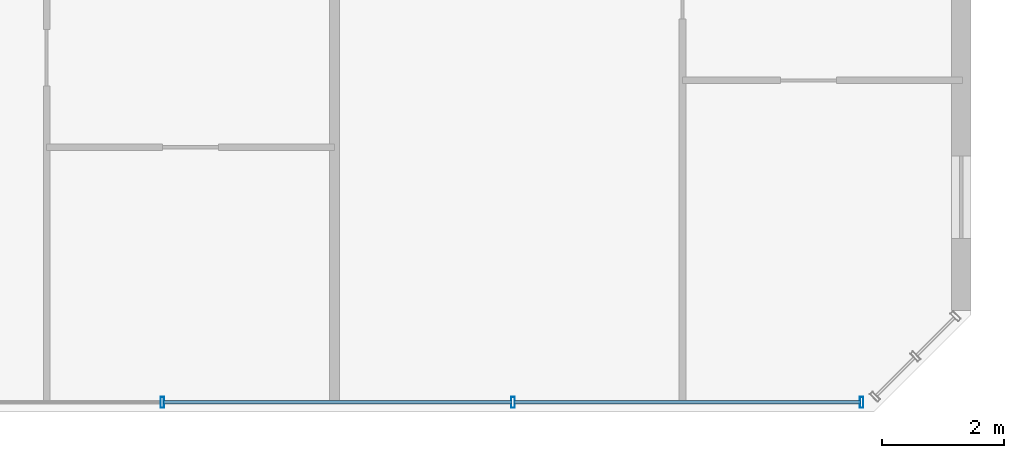
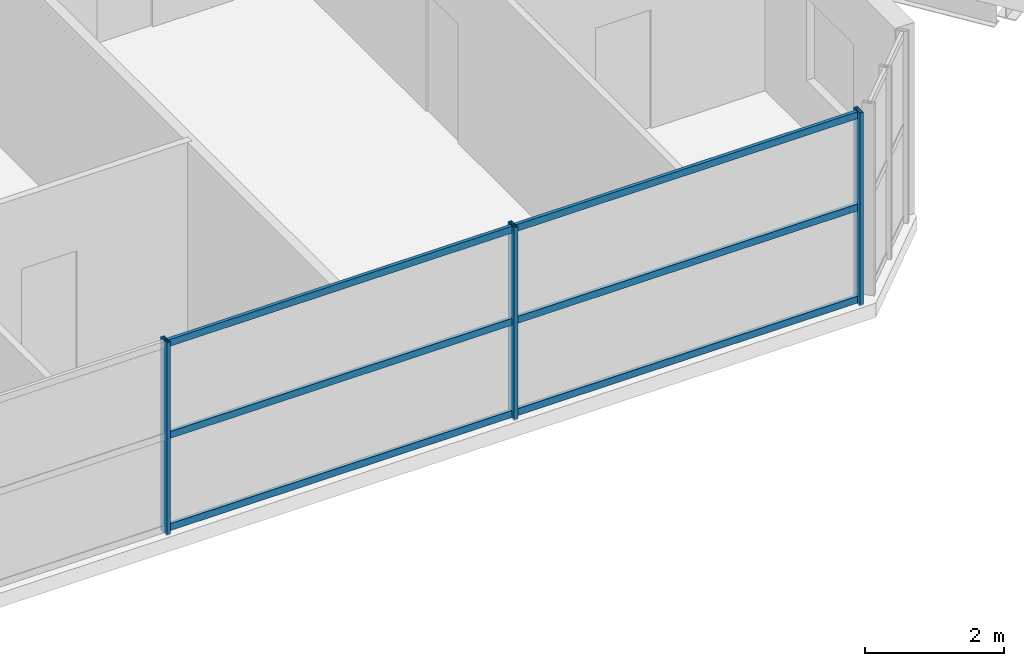
# One storey, part 8 of 25: 9 members, 1 element without a shape of its own.
"""IFC4 building model written with IfcOpenShell, lengths in metres."""

from ifc_helpers import new_model, si_unit, direction, frame, origin, origin_2d, place, context, subcontext, project, spatial, hollow_rectangle, extrude, source, transform, mapped, material, material_profile, profile_set, type_object, element, aggregate, save


model = new_model("IFC4")

# Units and contexts
model_context = context("Model", 3, precision=1e-05, world=origin(), true_north=direction((0.0, 1.0)))
body_context = subcontext(model_context, "Body", "Model", "MODEL_VIEW")
ifc_project = project(units=[si_unit("LENGTHUNIT", "METRE"), si_unit("AREAUNIT", "SQUARE_METRE"), si_unit("VOLUMEUNIT", "CUBIC_METRE"), si_unit("PLANEANGLEUNIT", "RADIAN"), si_unit("MASSUNIT", "GRAM", prefix="KILO")], contexts=[model_context])

# Site, building, storey
site_placement = place(None, origin())
site = spatial("IfcSite", under=ifc_project, at=site_placement, CompositionType="ELEMENT")
building_placement = place(site_placement, origin())
building = spatial("IfcBuilding", under=site, at=building_placement, Name="Tlacorven Tower", CompositionType="ELEMENT")
storey_placement = place(building_placement, frame((0.0, 0.0, 259.199951171875)))
storey = spatial("IfcBuildingStorey", under=building, at=storey_placement, Name="L65", CompositionType="ELEMENT", Elevation=259.199951171875)

# Curtain wall, members
ifc_material_1 = material(Name="Dark solar low-E double glazing in aluminium frame", Category="aluminium")
curtain_wall_type = type_object("IfcCurtainWallType", Name="CW-TWR-HIGH", PredefinedType="USERDEFINED", material=ifc_material_1)
curtain_wall_placement = place(storey_placement, origin())
curtain_wall = element("IfcCurtainWall", 1, at=curtain_wall_placement, inside=storey, type_object=curtain_wall_type, Name="L65 CW-TWR-HIGH Curtain Wall 303", ObjectType="UNITISED CURTAIN WALL", PredefinedType="USERDEFINED")
ifc_material_2 = material(Name="Aluminium 6063-T6 anodised", Category="aluminium")
ifc_material_profile_1 = material_profile(ifc_material_2, hollow_rectangle(XDim=0.06005859375, YDim=0.179931640625, WallThickness=0.00390625, at=origin_2d()), Name="ALU MULLION 60X180")
ifc_profile_set_1 = profile_set([ifc_material_profile_1], Name="Aluminium 6063-T6 anodised")
member_type_1 = type_object("IfcMemberType", Name="CWM-03", PredefinedType="MULLION", material=ifc_profile_set_1)
shared_shape_1 = source(origin(), body_context, "Body", "SweptSolid", [
    extrude(hollow_rectangle(XDim=0.06005859375, YDim=0.179931640625, WallThickness=0.00390625, at=origin_2d()), origin(), (0.0, 0.0, 1.0), 3.380126953125),
])
member_1_placement = place(storey_placement, frame((50.603759765625, 1.9599609375, -0.02001953125), z_axis=(0.0, 0.0, 1.0), x_axis=(-1.0, 0.0, 0.0)))
member_1 = element("IfcMember", 2, at=member_1_placement, type_object=member_type_1, Name="CW-L65-303 Mullion 1", PredefinedType="MULLION", context=body_context, shape_type="MappedRepresentation", body=[
    mapped(shared_shape_1, transform((0.0, 0.0, 0.0), scale=1.0)),
])
member_2_placement = place(storey_placement, frame((44.8779296875, 1.9599609375, -0.02001953125), z_axis=(0.0, 0.0, 1.0), x_axis=(-1.0, 0.0, 0.0)))
member_2 = element("IfcMember", 3, at=member_2_placement, type_object=member_type_1, Name="CW-L65-303 Mullion 2", PredefinedType="MULLION", context=body_context, shape_type="MappedRepresentation", body=[
    mapped(shared_shape_1, transform((0.0, 0.0, 0.0), scale=1.0)),
])
member_3_placement = place(storey_placement, frame((39.1220703125, 1.9599609375, -0.02001953125), z_axis=(0.0, 0.0, 1.0), x_axis=(-1.0, 0.0, 0.0)))
member_3 = element("IfcMember", 4, at=member_3_placement, type_object=member_type_1, Name="CW-L65-303 Mullion 3", PredefinedType="MULLION", context=body_context, shape_type="MappedRepresentation", body=[
    mapped(shared_shape_1, transform((0.0, 0.0, 0.0), scale=1.0)),
])
ifc_material_profile_2 = material_profile(ifc_material_2, hollow_rectangle(XDim=0.054931640625, YDim=0.1201171875, WallThickness=0.00341796875, at=origin_2d()), Name="ALU TRANSOM 55X120")
ifc_profile_set_2 = profile_set([ifc_material_profile_2], Name="Aluminium 6063-T6 anodised")
member_type_2 = type_object("IfcMemberType", Name="CWT-03", PredefinedType="USERDEFINED", material=ifc_profile_set_2)
shared_shape_2 = source(origin(), body_context, "Body", "SweptSolid", [
    extrude(hollow_rectangle(XDim=0.054931640625, YDim=0.1201171875, WallThickness=0.00341796875, at=origin_2d()), origin(), (0.0, 0.0, 1.0), 5.689697265625),
])
member_4_placement = place(storey_placement, frame((50.585693359375, 1.9599609375, 0.06005859375), z_axis=(-1.0, 0.0, 0.0), x_axis=(0.0, -1.0, 0.0)))
member_4 = element("IfcMember", 5, at=member_4_placement, type_object=member_type_2, Name="CW-L65-303 Transom 1", ObjectType="TRANSOM", PredefinedType="USERDEFINED", context=body_context, shape_type="MappedRepresentation", body=[
    mapped(shared_shape_2, transform((0.0, 0.0, 0.0), scale=1.0)),
])
member_5_placement = place(storey_placement, frame((50.585693359375, 1.9599609375, 1.675048828125), z_axis=(-1.0, 0.0, 0.0), x_axis=(0.0, -1.0, 0.0)))
member_5 = element("IfcMember", 6, at=member_5_placement, type_object=member_type_2, Name="CW-L65-303 Transom 2", ObjectType="TRANSOM", PredefinedType="USERDEFINED", context=body_context, shape_type="MappedRepresentation", body=[
    mapped(shared_shape_2, transform((0.0, 0.0, 0.0), scale=1.0)),
])
member_6_placement = place(storey_placement, frame((50.585693359375, 1.9599609375, 3.2900390625), z_axis=(-1.0, 0.0, 0.0), x_axis=(0.0, -1.0, 0.0)))
member_6 = element("IfcMember", 7, at=member_6_placement, type_object=member_type_2, Name="CW-L65-303 Transom 3", ObjectType="TRANSOM", PredefinedType="USERDEFINED", context=body_context, shape_type="MappedRepresentation", body=[
    mapped(shared_shape_2, transform((0.0, 0.0, 0.0), scale=1.0)),
])
shared_shape_3 = source(origin(), body_context, "Body", "SweptSolid", [
    extrude(hollow_rectangle(XDim=0.054931640625, YDim=0.1201171875, WallThickness=0.00341796875, at=origin_2d()), origin(), (0.0, 0.0, 1.0), 5.7197265625),
])
member_7_placement = place(storey_placement, frame((44.85986328125, 1.9599609375, 0.06005859375), z_axis=(-1.0, 0.0, 0.0), x_axis=(0.0, -1.0, 0.0)))
member_7 = element("IfcMember", 8, at=member_7_placement, type_object=member_type_2, Name="CW-L65-303 Transom 4", ObjectType="TRANSOM", PredefinedType="USERDEFINED", context=body_context, shape_type="MappedRepresentation", body=[
    mapped(shared_shape_3, transform((0.0, 0.0, 0.0), scale=1.0)),
])
member_8_placement = place(storey_placement, frame((44.85986328125, 1.9599609375, 1.675048828125), z_axis=(-1.0, 0.0, 0.0), x_axis=(0.0, -1.0, 0.0)))
member_8 = element("IfcMember", 9, at=member_8_placement, type_object=member_type_2, Name="CW-L65-303 Transom 5", ObjectType="TRANSOM", PredefinedType="USERDEFINED", context=body_context, shape_type="MappedRepresentation", body=[
    mapped(shared_shape_3, transform((0.0, 0.0, 0.0), scale=1.0)),
])
member_9_placement = place(storey_placement, frame((44.85986328125, 1.9599609375, 3.2900390625), z_axis=(-1.0, 0.0, 0.0), x_axis=(0.0, -1.0, 0.0)))
member_9 = element("IfcMember", 10, at=member_9_placement, type_object=member_type_2, Name="CW-L65-303 Transom 6", ObjectType="TRANSOM", PredefinedType="USERDEFINED", context=body_context, shape_type="MappedRepresentation", body=[
    mapped(shared_shape_3, transform((0.0, 0.0, 0.0), scale=1.0)),
])
aggregate(curtain_wall, [member_1, member_2, member_3, member_4, member_5, member_6, member_7, member_8, member_9])

save(model, "model.ifc")
